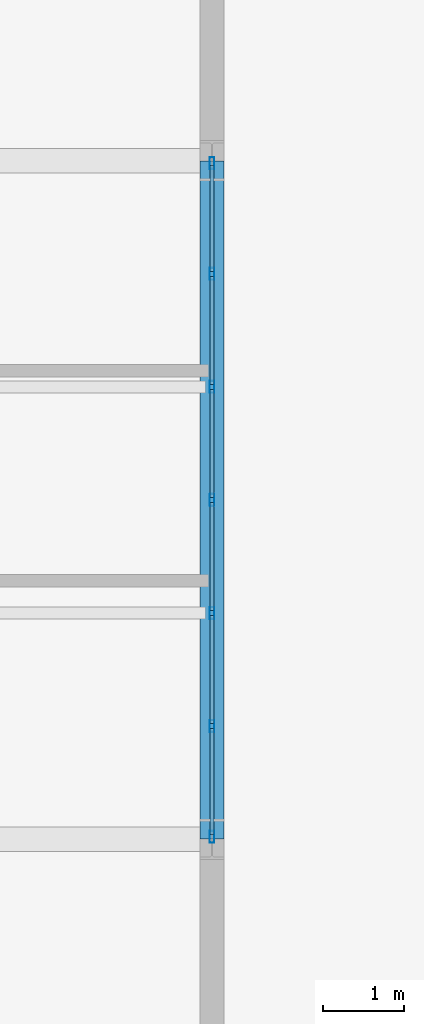
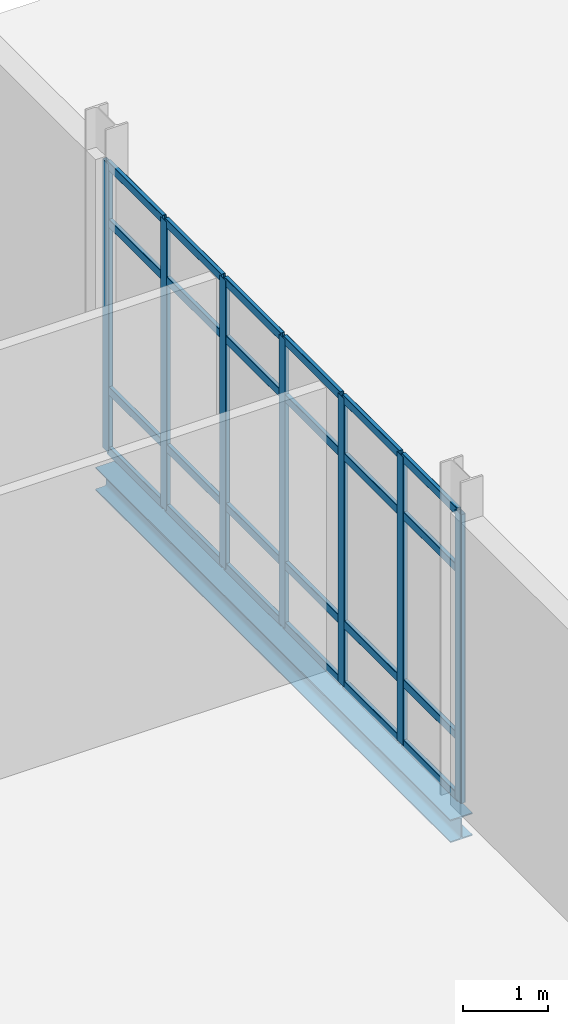
# One storey, part 44 of 145: 31 members, 1 beam, 1 element without a shape of its own.
"""IFC4 building model written with IfcOpenShell, lengths in metres."""

import ifcopenshell
import ifcopenshell.guid

model = None  # the IFC model being written
_history = None  # IfcOwnerHistory: only IFC2X3 demands one
_inside = {}  # id of a spatial element -> (the spatial element, [elements in it])
_under = {}  # id of a project, library or spatial element -> (it, [spatial elements below it])
_declared = {}  # id of a project -> (the project, [libraries it declares])
_typed = {}  # id of a type object -> (the type object, [elements of that type])
_made_of = {}  # id of a material, layer set ... -> (it, [elements and type objects made of it])


def new_model(schema):
    """Start an empty IFC model of exactly this schema.

    Asked for "IFC4X3", IfcOpenShell would pick the latest addendum, in which some entities
    have other attributes; the version numbers below select the first issue.
    IFC2X3 requires an IfcOwnerHistory on every rooted entity: one is made here for all.
    """
    global model, _history
    if schema == "IFC4X3":
        model = ifcopenshell.file(schema_version=(4, 3, 0, 0))
    else:
        model = ifcopenshell.file(schema=schema)
    _inside.clear()
    _under.clear()
    _declared.clear()
    _typed.clear()
    _made_of.clear()
    _history = None
    if model.schema == "IFC2X3":
        org = make("IfcOrganization", Name="unknown")
        user = make(
            "IfcPersonAndOrganization",
            ThePerson=make("IfcPerson", FamilyName="unknown"),
            TheOrganization=org,
        )
        app = make(
            "IfcApplication",
            ApplicationDeveloper=org,
            Version="unknown",
            ApplicationFullName="unknown",
            ApplicationIdentifier="unknown",
        )
        _history = make(
            "IfcOwnerHistory",
            OwningUser=user,
            OwningApplication=app,
            ChangeAction="ADDED",
            CreationDate=0,
        )
    return model


def make(cls, **values):
    """One entity of the class cls with the attributes given. An attribute that is None is left unset."""
    return model.create_entity(
        cls, **{name: value for name, value in values.items() if value is not None}
    )


def rooted(cls, **values):
    """An entity with a GlobalId (a new one), such as an element, a storey or a relation."""
    return make(cls, GlobalId=ifcopenshell.guid.new(), OwnerHistory=_history, **values)


def si_unit(unit_type, name, prefix=None):
    """IfcSIUnit, for example si_unit("LENGTHUNIT", "METRE", prefix="MILLI")."""
    return make("IfcSIUnit", UnitType=unit_type, Prefix=prefix, Name=name)


def assignment(units):
    """IfcUnitAssignment: the units of a project."""
    return None if units is None else make("IfcUnitAssignment", Units=units)


def point(xyz):
    """IfcCartesianPoint."""
    return None if xyz is None else make("IfcCartesianPoint", Coordinates=xyz)


def direction(xyz):
    """IfcDirection."""
    return None if xyz is None else make("IfcDirection", DirectionRatios=xyz)


def frame(location, z_axis=None, x_axis=None):
    """IfcAxis2Placement3D, a coordinate frame: its origin and axes. An axis left out is left unset."""
    return make(
        "IfcAxis2Placement3D",
        Location=point(location),
        Axis=direction(z_axis),
        RefDirection=direction(x_axis),
    )


def frame_2d(location, x_axis=None):
    """IfcAxis2Placement2D, a coordinate frame in the plane: its origin and x axis."""
    return make(
        "IfcAxis2Placement2D", Location=point(location), RefDirection=direction(x_axis)
    )


def origin():
    """The frame at (0, 0, 0) with its axes left unset."""
    return frame((0.0, 0.0, 0.0))


def origin_2d():
    """The frame at (0, 0) in the plane with its x axis left unset."""
    return frame_2d((0.0, 0.0))


def place(relative_to, where):
    """IfcLocalPlacement: puts the frame where relative to a parent placement (None: the world)."""
    return make(
        "IfcLocalPlacement", PlacementRelTo=relative_to, RelativePlacement=where
    )


def context(
    kind, dimensions, precision=None, world=None, true_north=None, identifier=None
):
    """IfcGeometricRepresentationContext, for example the 3D "Model" context."""
    return make(
        "IfcGeometricRepresentationContext",
        ContextIdentifier=identifier,
        ContextType=kind,
        CoordinateSpaceDimension=dimensions,
        Precision=precision,
        WorldCoordinateSystem=world,
        TrueNorth=true_north,
    )


def subcontext(parent, identifier, kind, view, scale=None):
    """IfcGeometricRepresentationSubContext, for example "Body" below "Model"."""
    return make(
        "IfcGeometricRepresentationSubContext",
        ContextIdentifier=identifier,
        ContextType=kind,
        ParentContext=parent,
        TargetScale=scale,
        TargetView=view,
    )


def project(units=None, contexts=None):
    """IfcProject with its units and contexts."""
    return rooted(
        "IfcProject",
        Name="project",
        RepresentationContexts=contexts,
        UnitsInContext=assignment(units),
    )


def spatial(cls, under=None, at=None, **own):
    """A site, building, storey or space (cls), placed at a placement, below another one or the project."""
    s = rooted(cls, ObjectPlacement=at, **own)
    if under is not None:
        _under.setdefault(under.id(), (under, []))[1].append(s)
    return s


def profile(cls, at=None, kind="AREA", **sizes):
    """A parametric profile (cls). Its sizes go by their IFC names, for example OverallWidth=200.0."""
    return make(cls, ProfileType=kind, Position=at, **sizes)


def hollow_rectangle(**sizes):
    """IfcRectangleHollowProfileDef."""
    return profile("IfcRectangleHollowProfileDef", **sizes)


def i_section(**sizes):
    """IfcIShapeProfileDef."""
    return profile("IfcIShapeProfileDef", **sizes)


def extrude(swept, where, along, depth):
    """IfcExtrudedAreaSolid: the profile swept, set in the frame where, extruded along a direction by depth."""
    return make(
        "IfcExtrudedAreaSolid",
        SweptArea=swept,
        Position=where,
        ExtrudedDirection=direction(along),
        Depth=depth,
    )


def shape(context_of_items, identifier, shape_type, items):
    """IfcShapeRepresentation: the items that make up one representation, for example the "Body"."""
    return make(
        "IfcShapeRepresentation",
        ContextOfItems=context_of_items,
        RepresentationIdentifier=identifier,
        RepresentationType=shape_type,
        Items=items,
    )


def material(Name=None, Category=None):
    """IfcMaterial."""
    return make("IfcMaterial", Name=Name, Category=Category)


def layer(
    of_material, thickness, ventilated=None, Name=None, Category=None, Priority=None
):
    """IfcMaterialLayer: one layer of a wall or slab, of a material (None: an air gap)."""
    return make(
        "IfcMaterialLayer",
        Material=of_material,
        LayerThickness=thickness,
        IsVentilated=ventilated,
        Name=Name,
        Category=Category,
        Priority=Priority,
    )


def layer_set(layers, Name=None):
    """IfcMaterialLayerSet."""
    return make("IfcMaterialLayerSet", MaterialLayers=layers, LayerSetName=Name)


def material_profile(
    of_material, cross_section, Name=None, Category=None, Priority=None
):
    """IfcMaterialProfile: a cross section and its material."""
    return make(
        "IfcMaterialProfile",
        Name=Name,
        Material=of_material,
        Profile=cross_section,
        Priority=Priority,
        Category=Category,
    )


def profile_set(profiles, Name=None, composite=None):
    """IfcMaterialProfileSet."""
    return make(
        "IfcMaterialProfileSet",
        Name=Name,
        MaterialProfiles=profiles,
        CompositeProfile=composite,
    )


def made_of(thing, what):
    """Note that an element or type object is made of a material, layer set ...; save() writes the relation."""
    if what is not None:
        _made_of.setdefault(what.id(), (what, []))[1].append(thing)
    return thing


def type_object(cls, material=None, **own):
    """A type object (cls), such as IfcWallType, which elements share."""
    return made_of(rooted(cls, **own), material)


def element(
    cls,
    number,
    at=None,
    inside=None,
    cuts=None,
    type_object=None,
    material=None,
    context=None,
    identifier="Body",
    shape_type=None,
    held_by="IfcProductDefinitionShape",
    body=None,
    shapes=None,
    **own,
):
    """One element of the class cls, such as IfcWall. Its Tag is "e" and its number.

    at: its placement. inside: the storey or other place that contains it. cuts: it is an
    opening in that element (IfcRelVoidsElement). A single representation is given by context,
    identifier, shape_type and body (its items); several are given by shapes. held_by: the class
    of the entity that holds the representations. save() writes the other relations.
    """
    e = rooted(cls, Tag="e%d" % number, ObjectPlacement=at, **own)
    if body is not None:
        shapes = [shape(context, identifier, shape_type, body)]
    if shapes is not None:
        e.Representation = make(held_by, Representations=shapes)
    if inside is not None:
        _inside.setdefault(inside.id(), (inside, []))[1].append(e)
    if cuts is not None:
        rooted(
            "IfcRelVoidsElement", RelatingBuildingElement=cuts, RelatedOpeningElement=e
        )
    if type_object is not None:
        _typed.setdefault(type_object.id(), (type_object, []))[1].append(e)
    return made_of(e, material)


def aggregate(whole, parts):
    """IfcRelAggregates: a whole, such as a stair, and the parts it consists of."""
    return rooted("IfcRelAggregates", RelatingObject=whole, RelatedObjects=parts)


def save(model, path):
    """Write the relations noted so far, then the file.

    IfcRelAggregates (storeys below a building ...), IfcRelContainedInSpatialStructure (elements
    in a storey), IfcRelDefinesByType, IfcRelAssociatesMaterial and IfcRelDeclares: one each for
    every whole, place, type object, material and project.
    """
    for whole, parts in _under.values():
        aggregate(whole, parts)
    for where, things in _inside.values():
        rooted(
            "IfcRelContainedInSpatialStructure",
            RelatedElements=things,
            RelatingStructure=where,
        )
    for kind, things in _typed.values():
        rooted("IfcRelDefinesByType", RelatedObjects=things, RelatingType=kind)
    for what, things in _made_of.values():
        rooted("IfcRelAssociatesMaterial", RelatedObjects=things, RelatingMaterial=what)
    for by, libraries in _declared.values():
        rooted("IfcRelDeclares", RelatingContext=by, RelatedDefinitions=libraries)
    model.write(path)


model = new_model("IFC4")

# Units and contexts
model_context = context("Model", 3, precision=1e-05, world=origin(), true_north=direction((0.0, 1.0)))
body_context = subcontext(model_context, "Body", "Model", "MODEL_VIEW")
ifc_project = project(units=[si_unit("LENGTHUNIT", "METRE"), si_unit("AREAUNIT", "SQUARE_METRE"), si_unit("VOLUMEUNIT", "CUBIC_METRE"), si_unit("PLANEANGLEUNIT", "RADIAN"), si_unit("MASSUNIT", "GRAM", prefix="KILO")], contexts=[model_context])

# Site, building, storey
site_placement = place(None, origin())
site = spatial("IfcSite", under=ifc_project, at=site_placement, CompositionType="ELEMENT")
building_placement = place(site_placement, origin())
building = spatial("IfcBuilding", under=site, at=building_placement, Name="Qalvenar Corner Mobility Hub", CompositionType="ELEMENT")
storey_placement = place(building_placement, origin())
storey = spatial("IfcBuildingStorey", under=building, at=storey_placement, Name="L00", CompositionType="ELEMENT", Elevation=0.0)

# Beam
ifc_material_1 = material(Name="Steel S355", Category="steel")
ifc_material_profile_1 = material_profile(ifc_material_1, i_section(OverallWidth=0.300048828125, OverallDepth=0.330078125, WebThickness=0.009521484375, FlangeThickness=0.0166015625, FilletRadius=0.027099609375, at=origin_2d()), Name="HEA340")
ifc_profile_set_1 = profile_set([ifc_material_profile_1], Name="Steel S355")
beam_type = type_object("IfcBeamType", Name="BM-SPN340", PredefinedType="SPANDREL", material=ifc_profile_set_1)
beam_placement = place(storey_placement, frame((33.60009765625, 50.39990234375, -0.385009765625), z_axis=(0.0, 1.0, 0.0), x_axis=(-1.0, 0.0, 0.0)))
element("IfcBeam", 1, at=beam_placement, inside=storey, type_object=beam_type, Name="Primary Steel Girder GY-0472", PredefinedType="SPANDREL", context=body_context, shape_type="SweptSolid", body=[
    extrude(i_section(OverallWidth=0.300048828125, OverallDepth=0.330078125, WebThickness=0.009521484375, FlangeThickness=0.0166015625, FilletRadius=0.027099609375, at=origin_2d()), origin(), (0.0, 0.0, 1.0), 8.400146484375),
])

# Curtain wall, members
ifc_material_2 = material(Name="Anodised Aluminium and Low-E Glazing", Category="aluminium")
ifc_layer = layer(ifc_material_2, 0.14990234375)
ifc_layer_set = layer_set([ifc_layer], Name="Anodised Aluminium and Low-E Glazing")
curtain_wall_type = type_object("IfcCurtainWallType", Name="CW-CYC-84X39", PredefinedType="NOTDEFINED", material=ifc_layer_set)
curtain_wall_placement = place(storey_placement, origin())
curtain_wall = element("IfcCurtainWall", 2, at=curtain_wall_placement, inside=storey, type_object=curtain_wall_type, Name="Glazed Curtain Wall CW-V5-L00-E1", PredefinedType="NOTDEFINED")
ifc_material_3 = material(Name="Anodised Aluminium 6063-T6", Category="aluminium")
ifc_material_profile_2 = material_profile(ifc_material_3, hollow_rectangle(XDim=0.06005859375, YDim=0.14990234375, WallThickness=0.00390625, InnerFilletRadius=0.00390625, OuterFilletRadius=0.008056640625, at=origin_2d()), Name="RHS150x60x4")
ifc_profile_set_2 = profile_set([ifc_material_profile_2], Name="Anodised Aluminium 6063-T6")
member_type_1 = type_object("IfcMemberType", Name="CW-MUL150", PredefinedType="MULLION", material=ifc_profile_set_2)
member_1_placement = place(storey_placement, frame((33.60009765625, 50.429931640625, 0.0), z_axis=(0.0, 0.0, 1.0), x_axis=(-1.0, 0.0, 0.0)))
member_1 = element("IfcMember", 3, at=member_1_placement, type_object=member_type_1, Name="CW-08 mullion 1", PredefinedType="MULLION", context=body_context, shape_type="SweptSolid", body=[
    extrude(hollow_rectangle(XDim=0.06005859375, YDim=0.14990234375, WallThickness=0.00390625, InnerFilletRadius=0.00390625, OuterFilletRadius=0.008056640625, at=origin_2d()), origin(), (0.0, 0.0, 1.0), 4.169921875),
])
member_2_placement = place(storey_placement, frame((33.60009765625, 51.800048828125, 0.0), z_axis=(0.0, 0.0, 1.0), x_axis=(-1.0, 0.0, 0.0)))
member_2 = element("IfcMember", 4, at=member_2_placement, type_object=member_type_1, Name="CW-08 mullion 2", PredefinedType="MULLION", context=body_context, shape_type="SweptSolid", body=[
    extrude(hollow_rectangle(XDim=0.06005859375, YDim=0.14990234375, WallThickness=0.00390625, InnerFilletRadius=0.00390625, OuterFilletRadius=0.008056640625, at=origin_2d()), origin(), (0.0, 0.0, 1.0), 4.169921875),
])
member_3_placement = place(storey_placement, frame((33.60009765625, 53.199951171875, 0.0), z_axis=(0.0, 0.0, 1.0), x_axis=(-1.0, 0.0, 0.0)))
member_3 = element("IfcMember", 5, at=member_3_placement, type_object=member_type_1, Name="CW-08 mullion 3", PredefinedType="MULLION", context=body_context, shape_type="SweptSolid", body=[
    extrude(hollow_rectangle(XDim=0.06005859375, YDim=0.14990234375, WallThickness=0.00390625, InnerFilletRadius=0.00390625, OuterFilletRadius=0.008056640625, at=origin_2d()), origin(), (0.0, 0.0, 1.0), 4.169921875),
])
member_4_placement = place(storey_placement, frame((33.60009765625, 54.60009765625, 0.0), z_axis=(0.0, 0.0, 1.0), x_axis=(-1.0, 0.0, 0.0)))
member_4 = element("IfcMember", 6, at=member_4_placement, type_object=member_type_1, Name="CW-08 mullion 4", PredefinedType="MULLION", context=body_context, shape_type="SweptSolid", body=[
    extrude(hollow_rectangle(XDim=0.06005859375, YDim=0.14990234375, WallThickness=0.00390625, InnerFilletRadius=0.00390625, OuterFilletRadius=0.008056640625, at=origin_2d()), origin(), (0.0, 0.0, 1.0), 4.169921875),
])
member_5_placement = place(storey_placement, frame((33.60009765625, 56.0, 0.0), z_axis=(0.0, 0.0, 1.0), x_axis=(-1.0, 0.0, 0.0)))
member_5 = element("IfcMember", 7, at=member_5_placement, type_object=member_type_1, Name="CW-08 mullion 5", PredefinedType="MULLION", context=body_context, shape_type="SweptSolid", body=[
    extrude(hollow_rectangle(XDim=0.06005859375, YDim=0.14990234375, WallThickness=0.00390625, InnerFilletRadius=0.00390625, OuterFilletRadius=0.008056640625, at=origin_2d()), origin(), (0.0, 0.0, 1.0), 4.169921875),
])
member_6_placement = place(storey_placement, frame((33.60009765625, 57.39990234375, 0.0), z_axis=(0.0, 0.0, 1.0), x_axis=(-1.0, 0.0, 0.0)))
member_6 = element("IfcMember", 8, at=member_6_placement, type_object=member_type_1, Name="CW-08 mullion 6", PredefinedType="MULLION", context=body_context, shape_type="SweptSolid", body=[
    extrude(hollow_rectangle(XDim=0.06005859375, YDim=0.14990234375, WallThickness=0.00390625, InnerFilletRadius=0.00390625, OuterFilletRadius=0.008056640625, at=origin_2d()), origin(), (0.0, 0.0, 1.0), 4.169921875),
])
member_7_placement = place(storey_placement, frame((33.60009765625, 58.77001953125, 0.0), z_axis=(0.0, 0.0, 1.0), x_axis=(-1.0, 0.0, 0.0)))
member_7 = element("IfcMember", 9, at=member_7_placement, type_object=member_type_1, Name="CW-08 mullion 7", PredefinedType="MULLION", context=body_context, shape_type="SweptSolid", body=[
    extrude(hollow_rectangle(XDim=0.06005859375, YDim=0.14990234375, WallThickness=0.00390625, InnerFilletRadius=0.00390625, OuterFilletRadius=0.008056640625, at=origin_2d()), origin(), (0.0, 0.0, 1.0), 4.169921875),
])
ifc_material_profile_3 = material_profile(ifc_material_3, hollow_rectangle(XDim=0.054931640625, YDim=0.1201171875, WallThickness=0.00341796875, InnerFilletRadius=0.00341796875, OuterFilletRadius=0.007080078125, at=origin_2d()), Name="RHS120x55x3.5")
ifc_profile_set_3 = profile_set([ifc_material_profile_3], Name="Anodised Aluminium 6063-T6")
member_type_2 = type_object("IfcMemberType", Name="CW-TRN120", PredefinedType="USERDEFINED", material=ifc_profile_set_3)
member_8_placement = place(storey_placement, frame((33.60009765625, 50.4599609375, 0.027587890625), z_axis=(0.0, 1.0, 0.0), x_axis=(-1.0, 0.0, 0.0)))
member_8 = element("IfcMember", 10, at=member_8_placement, type_object=member_type_2, Name="CW-08 transom 1.1", ObjectType="TRANSOM", PredefinedType="USERDEFINED", context=body_context, shape_type="SweptSolid", body=[
    extrude(hollow_rectangle(XDim=0.054931640625, YDim=0.1201171875, WallThickness=0.00341796875, InnerFilletRadius=0.00341796875, OuterFilletRadius=0.007080078125, at=origin_2d()), origin(), (0.0, 0.0, 1.0), 1.31005859375),
])
member_9_placement = place(storey_placement, frame((33.60009765625, 50.4599609375, 0.89990234375), z_axis=(0.0, 1.0, 0.0), x_axis=(-1.0, 0.0, 0.0)))
member_9 = element("IfcMember", 11, at=member_9_placement, type_object=member_type_2, Name="CW-08 transom 1.2", ObjectType="TRANSOM", PredefinedType="USERDEFINED", context=body_context, shape_type="SweptSolid", body=[
    extrude(hollow_rectangle(XDim=0.054931640625, YDim=0.1201171875, WallThickness=0.00341796875, InnerFilletRadius=0.00341796875, OuterFilletRadius=0.007080078125, at=origin_2d()), origin(), (0.0, 0.0, 1.0), 1.31005859375),
])
member_10_placement = place(storey_placement, frame((33.60009765625, 50.4599609375, 3.320068359375), z_axis=(0.0, 1.0, 0.0), x_axis=(-1.0, 0.0, 0.0)))
member_10 = element("IfcMember", 12, at=member_10_placement, type_object=member_type_2, Name="CW-08 transom 1.3", ObjectType="TRANSOM", PredefinedType="USERDEFINED", context=body_context, shape_type="SweptSolid", body=[
    extrude(hollow_rectangle(XDim=0.054931640625, YDim=0.1201171875, WallThickness=0.00341796875, InnerFilletRadius=0.00341796875, OuterFilletRadius=0.007080078125, at=origin_2d()), origin(), (0.0, 0.0, 1.0), 1.31005859375),
])
member_11_placement = place(storey_placement, frame((33.60009765625, 50.4599609375, 4.142578125), z_axis=(0.0, 1.0, 0.0), x_axis=(-1.0, 0.0, 0.0)))
member_11 = element("IfcMember", 13, at=member_11_placement, type_object=member_type_2, Name="CW-08 transom 1.4", ObjectType="TRANSOM", PredefinedType="USERDEFINED", context=body_context, shape_type="SweptSolid", body=[
    extrude(hollow_rectangle(XDim=0.054931640625, YDim=0.1201171875, WallThickness=0.00341796875, InnerFilletRadius=0.00341796875, OuterFilletRadius=0.007080078125, at=origin_2d()), origin(), (0.0, 0.0, 1.0), 1.31005859375),
])
member_12_placement = place(storey_placement, frame((33.60009765625, 51.830078125, 0.027587890625), z_axis=(0.0, 1.0, 0.0), x_axis=(-1.0, 0.0, 0.0)))
member_12 = element("IfcMember", 14, at=member_12_placement, type_object=member_type_2, Name="CW-08 transom 2.1", ObjectType="TRANSOM", PredefinedType="USERDEFINED", context=body_context, shape_type="SweptSolid", body=[
    extrude(hollow_rectangle(XDim=0.054931640625, YDim=0.1201171875, WallThickness=0.00341796875, InnerFilletRadius=0.00341796875, OuterFilletRadius=0.007080078125, at=origin_2d()), origin(), (0.0, 0.0, 1.0), 1.33984375),
])
member_13_placement = place(storey_placement, frame((33.60009765625, 51.830078125, 0.89990234375), z_axis=(0.0, 1.0, 0.0), x_axis=(-1.0, 0.0, 0.0)))
member_13 = element("IfcMember", 15, at=member_13_placement, type_object=member_type_2, Name="CW-08 transom 2.2", ObjectType="TRANSOM", PredefinedType="USERDEFINED", context=body_context, shape_type="SweptSolid", body=[
    extrude(hollow_rectangle(XDim=0.054931640625, YDim=0.1201171875, WallThickness=0.00341796875, InnerFilletRadius=0.00341796875, OuterFilletRadius=0.007080078125, at=origin_2d()), origin(), (0.0, 0.0, 1.0), 1.33984375),
])
member_14_placement = place(storey_placement, frame((33.60009765625, 51.830078125, 3.320068359375), z_axis=(0.0, 1.0, 0.0), x_axis=(-1.0, 0.0, 0.0)))
member_14 = element("IfcMember", 16, at=member_14_placement, type_object=member_type_2, Name="CW-08 transom 2.3", ObjectType="TRANSOM", PredefinedType="USERDEFINED", context=body_context, shape_type="SweptSolid", body=[
    extrude(hollow_rectangle(XDim=0.054931640625, YDim=0.1201171875, WallThickness=0.00341796875, InnerFilletRadius=0.00341796875, OuterFilletRadius=0.007080078125, at=origin_2d()), origin(), (0.0, 0.0, 1.0), 1.33984375),
])
member_15_placement = place(storey_placement, frame((33.60009765625, 51.830078125, 4.142578125), z_axis=(0.0, 1.0, 0.0), x_axis=(-1.0, 0.0, 0.0)))
member_15 = element("IfcMember", 17, at=member_15_placement, type_object=member_type_2, Name="CW-08 transom 2.4", ObjectType="TRANSOM", PredefinedType="USERDEFINED", context=body_context, shape_type="SweptSolid", body=[
    extrude(hollow_rectangle(XDim=0.054931640625, YDim=0.1201171875, WallThickness=0.00341796875, InnerFilletRadius=0.00341796875, OuterFilletRadius=0.007080078125, at=origin_2d()), origin(), (0.0, 0.0, 1.0), 1.33984375),
])
member_16_placement = place(storey_placement, frame((33.60009765625, 53.22998046875, 0.027587890625), z_axis=(0.0, 1.0, 0.0), x_axis=(-1.0, 0.0, 0.0)))
member_16 = element("IfcMember", 18, at=member_16_placement, type_object=member_type_2, Name="CW-08 transom 3.1", ObjectType="TRANSOM", PredefinedType="USERDEFINED", context=body_context, shape_type="SweptSolid", body=[
    extrude(hollow_rectangle(XDim=0.054931640625, YDim=0.1201171875, WallThickness=0.00341796875, InnerFilletRadius=0.00341796875, OuterFilletRadius=0.007080078125, at=origin_2d()), origin(), (0.0, 0.0, 1.0), 1.340087890625),
])
member_17_placement = place(storey_placement, frame((33.60009765625, 53.22998046875, 0.89990234375), z_axis=(0.0, 1.0, 0.0), x_axis=(-1.0, 0.0, 0.0)))
member_17 = element("IfcMember", 19, at=member_17_placement, type_object=member_type_2, Name="CW-08 transom 3.2", ObjectType="TRANSOM", PredefinedType="USERDEFINED", context=body_context, shape_type="SweptSolid", body=[
    extrude(hollow_rectangle(XDim=0.054931640625, YDim=0.1201171875, WallThickness=0.00341796875, InnerFilletRadius=0.00341796875, OuterFilletRadius=0.007080078125, at=origin_2d()), origin(), (0.0, 0.0, 1.0), 1.340087890625),
])
member_18_placement = place(storey_placement, frame((33.60009765625, 53.22998046875, 3.320068359375), z_axis=(0.0, 1.0, 0.0), x_axis=(-1.0, 0.0, 0.0)))
member_18 = element("IfcMember", 20, at=member_18_placement, type_object=member_type_2, Name="CW-08 transom 3.3", ObjectType="TRANSOM", PredefinedType="USERDEFINED", context=body_context, shape_type="SweptSolid", body=[
    extrude(hollow_rectangle(XDim=0.054931640625, YDim=0.1201171875, WallThickness=0.00341796875, InnerFilletRadius=0.00341796875, OuterFilletRadius=0.007080078125, at=origin_2d()), origin(), (0.0, 0.0, 1.0), 1.340087890625),
])
member_19_placement = place(storey_placement, frame((33.60009765625, 53.22998046875, 4.142578125), z_axis=(0.0, 1.0, 0.0), x_axis=(-1.0, 0.0, 0.0)))
member_19 = element("IfcMember", 21, at=member_19_placement, type_object=member_type_2, Name="CW-08 transom 3.4", ObjectType="TRANSOM", PredefinedType="USERDEFINED", context=body_context, shape_type="SweptSolid", body=[
    extrude(hollow_rectangle(XDim=0.054931640625, YDim=0.1201171875, WallThickness=0.00341796875, InnerFilletRadius=0.00341796875, OuterFilletRadius=0.007080078125, at=origin_2d()), origin(), (0.0, 0.0, 1.0), 1.340087890625),
])
member_20_placement = place(storey_placement, frame((33.60009765625, 54.6298828125, 0.027587890625), z_axis=(0.0, 1.0, 0.0), x_axis=(-1.0, 0.0, 0.0)))
member_20 = element("IfcMember", 22, at=member_20_placement, type_object=member_type_2, Name="CW-08 transom 4.1", ObjectType="TRANSOM", PredefinedType="USERDEFINED", context=body_context, shape_type="SweptSolid", body=[
    extrude(hollow_rectangle(XDim=0.054931640625, YDim=0.1201171875, WallThickness=0.00341796875, InnerFilletRadius=0.00341796875, OuterFilletRadius=0.007080078125, at=origin_2d()), origin(), (0.0, 0.0, 1.0), 1.340087890625),
])
member_21_placement = place(storey_placement, frame((33.60009765625, 54.6298828125, 0.89990234375), z_axis=(0.0, 1.0, 0.0), x_axis=(-1.0, 0.0, 0.0)))
member_21 = element("IfcMember", 23, at=member_21_placement, type_object=member_type_2, Name="CW-08 transom 4.2", ObjectType="TRANSOM", PredefinedType="USERDEFINED", context=body_context, shape_type="SweptSolid", body=[
    extrude(hollow_rectangle(XDim=0.054931640625, YDim=0.1201171875, WallThickness=0.00341796875, InnerFilletRadius=0.00341796875, OuterFilletRadius=0.007080078125, at=origin_2d()), origin(), (0.0, 0.0, 1.0), 1.340087890625),
])
member_22_placement = place(storey_placement, frame((33.60009765625, 54.6298828125, 3.320068359375), z_axis=(0.0, 1.0, 0.0), x_axis=(-1.0, 0.0, 0.0)))
member_22 = element("IfcMember", 24, at=member_22_placement, type_object=member_type_2, Name="CW-08 transom 4.3", ObjectType="TRANSOM", PredefinedType="USERDEFINED", context=body_context, shape_type="SweptSolid", body=[
    extrude(hollow_rectangle(XDim=0.054931640625, YDim=0.1201171875, WallThickness=0.00341796875, InnerFilletRadius=0.00341796875, OuterFilletRadius=0.007080078125, at=origin_2d()), origin(), (0.0, 0.0, 1.0), 1.340087890625),
])
member_23_placement = place(storey_placement, frame((33.60009765625, 54.6298828125, 4.142578125), z_axis=(0.0, 1.0, 0.0), x_axis=(-1.0, 0.0, 0.0)))
member_23 = element("IfcMember", 25, at=member_23_placement, type_object=member_type_2, Name="CW-08 transom 4.4", ObjectType="TRANSOM", PredefinedType="USERDEFINED", context=body_context, shape_type="SweptSolid", body=[
    extrude(hollow_rectangle(XDim=0.054931640625, YDim=0.1201171875, WallThickness=0.00341796875, InnerFilletRadius=0.00341796875, OuterFilletRadius=0.007080078125, at=origin_2d()), origin(), (0.0, 0.0, 1.0), 1.340087890625),
])
member_24_placement = place(storey_placement, frame((33.60009765625, 56.030029296875, 0.027587890625), z_axis=(0.0, 1.0, 0.0), x_axis=(-1.0, 0.0, 0.0)))
member_24 = element("IfcMember", 26, at=member_24_placement, type_object=member_type_2, Name="CW-08 transom 5.1", ObjectType="TRANSOM", PredefinedType="USERDEFINED", context=body_context, shape_type="SweptSolid", body=[
    extrude(hollow_rectangle(XDim=0.054931640625, YDim=0.1201171875, WallThickness=0.00341796875, InnerFilletRadius=0.00341796875, OuterFilletRadius=0.007080078125, at=origin_2d()), origin(), (0.0, 0.0, 1.0), 1.340087890625),
])
member_25_placement = place(storey_placement, frame((33.60009765625, 56.030029296875, 0.89990234375), z_axis=(0.0, 1.0, 0.0), x_axis=(-1.0, 0.0, 0.0)))
member_25 = element("IfcMember", 27, at=member_25_placement, type_object=member_type_2, Name="CW-08 transom 5.2", ObjectType="TRANSOM", PredefinedType="USERDEFINED", context=body_context, shape_type="SweptSolid", body=[
    extrude(hollow_rectangle(XDim=0.054931640625, YDim=0.1201171875, WallThickness=0.00341796875, InnerFilletRadius=0.00341796875, OuterFilletRadius=0.007080078125, at=origin_2d()), origin(), (0.0, 0.0, 1.0), 1.340087890625),
])
member_26_placement = place(storey_placement, frame((33.60009765625, 56.030029296875, 3.320068359375), z_axis=(0.0, 1.0, 0.0), x_axis=(-1.0, 0.0, 0.0)))
member_26 = element("IfcMember", 28, at=member_26_placement, type_object=member_type_2, Name="CW-08 transom 5.3", ObjectType="TRANSOM", PredefinedType="USERDEFINED", context=body_context, shape_type="SweptSolid", body=[
    extrude(hollow_rectangle(XDim=0.054931640625, YDim=0.1201171875, WallThickness=0.00341796875, InnerFilletRadius=0.00341796875, OuterFilletRadius=0.007080078125, at=origin_2d()), origin(), (0.0, 0.0, 1.0), 1.340087890625),
])
member_27_placement = place(storey_placement, frame((33.60009765625, 56.030029296875, 4.142578125), z_axis=(0.0, 1.0, 0.0), x_axis=(-1.0, 0.0, 0.0)))
member_27 = element("IfcMember", 29, at=member_27_placement, type_object=member_type_2, Name="CW-08 transom 5.4", ObjectType="TRANSOM", PredefinedType="USERDEFINED", context=body_context, shape_type="SweptSolid", body=[
    extrude(hollow_rectangle(XDim=0.054931640625, YDim=0.1201171875, WallThickness=0.00341796875, InnerFilletRadius=0.00341796875, OuterFilletRadius=0.007080078125, at=origin_2d()), origin(), (0.0, 0.0, 1.0), 1.340087890625),
])
member_28_placement = place(storey_placement, frame((33.60009765625, 57.429931640625, 0.027587890625), z_axis=(0.0, 1.0, 0.0), x_axis=(-1.0, 0.0, 0.0)))
member_28 = element("IfcMember", 30, at=member_28_placement, type_object=member_type_2, Name="CW-08 transom 6.1", ObjectType="TRANSOM", PredefinedType="USERDEFINED", context=body_context, shape_type="SweptSolid", body=[
    extrude(hollow_rectangle(XDim=0.054931640625, YDim=0.1201171875, WallThickness=0.00341796875, InnerFilletRadius=0.00341796875, OuterFilletRadius=0.007080078125, at=origin_2d()), origin(), (0.0, 0.0, 1.0), 1.31005859375),
])
member_29_placement = place(storey_placement, frame((33.60009765625, 57.429931640625, 0.89990234375), z_axis=(0.0, 1.0, 0.0), x_axis=(-1.0, 0.0, 0.0)))
member_29 = element("IfcMember", 31, at=member_29_placement, type_object=member_type_2, Name="CW-08 transom 6.2", ObjectType="TRANSOM", PredefinedType="USERDEFINED", context=body_context, shape_type="SweptSolid", body=[
    extrude(hollow_rectangle(XDim=0.054931640625, YDim=0.1201171875, WallThickness=0.00341796875, InnerFilletRadius=0.00341796875, OuterFilletRadius=0.007080078125, at=origin_2d()), origin(), (0.0, 0.0, 1.0), 1.31005859375),
])
member_30_placement = place(storey_placement, frame((33.60009765625, 57.429931640625, 3.320068359375), z_axis=(0.0, 1.0, 0.0), x_axis=(-1.0, 0.0, 0.0)))
member_30 = element("IfcMember", 32, at=member_30_placement, type_object=member_type_2, Name="CW-08 transom 6.3", ObjectType="TRANSOM", PredefinedType="USERDEFINED", context=body_context, shape_type="SweptSolid", body=[
    extrude(hollow_rectangle(XDim=0.054931640625, YDim=0.1201171875, WallThickness=0.00341796875, InnerFilletRadius=0.00341796875, OuterFilletRadius=0.007080078125, at=origin_2d()), origin(), (0.0, 0.0, 1.0), 1.31005859375),
])
member_31_placement = place(storey_placement, frame((33.60009765625, 57.429931640625, 4.142578125), z_axis=(0.0, 1.0, 0.0), x_axis=(-1.0, 0.0, 0.0)))
member_31 = element("IfcMember", 33, at=member_31_placement, type_object=member_type_2, Name="CW-08 transom 6.4", ObjectType="TRANSOM", PredefinedType="USERDEFINED", context=body_context, shape_type="SweptSolid", body=[
    extrude(hollow_rectangle(XDim=0.054931640625, YDim=0.1201171875, WallThickness=0.00341796875, InnerFilletRadius=0.00341796875, OuterFilletRadius=0.007080078125, at=origin_2d()), origin(), (0.0, 0.0, 1.0), 1.31005859375),
])
aggregate(curtain_wall, [member_1, member_2, member_3, member_4, member_5, member_6, member_7, member_8, member_9, member_10, member_11, member_12, member_13, member_14, member_15, member_16, member_17, member_18, member_19, member_20, member_21, member_22, member_23, member_24, member_25, member_26, member_27, member_28, member_29, member_30, member_31])

save(model, "model.ifc")
